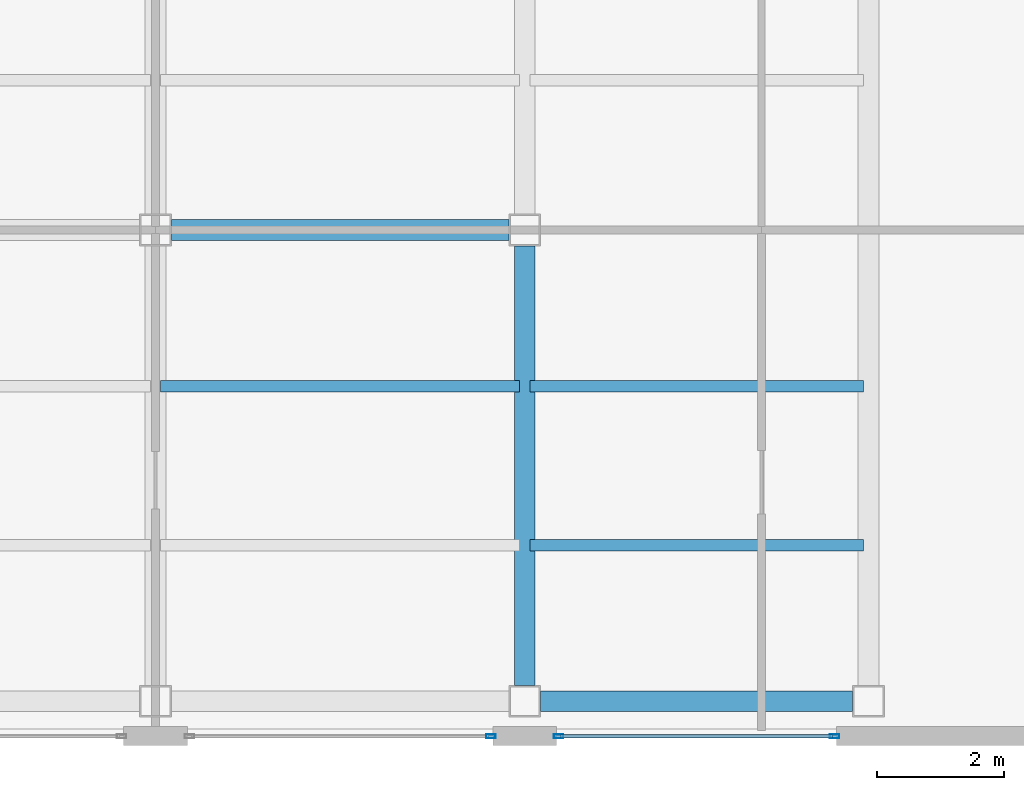
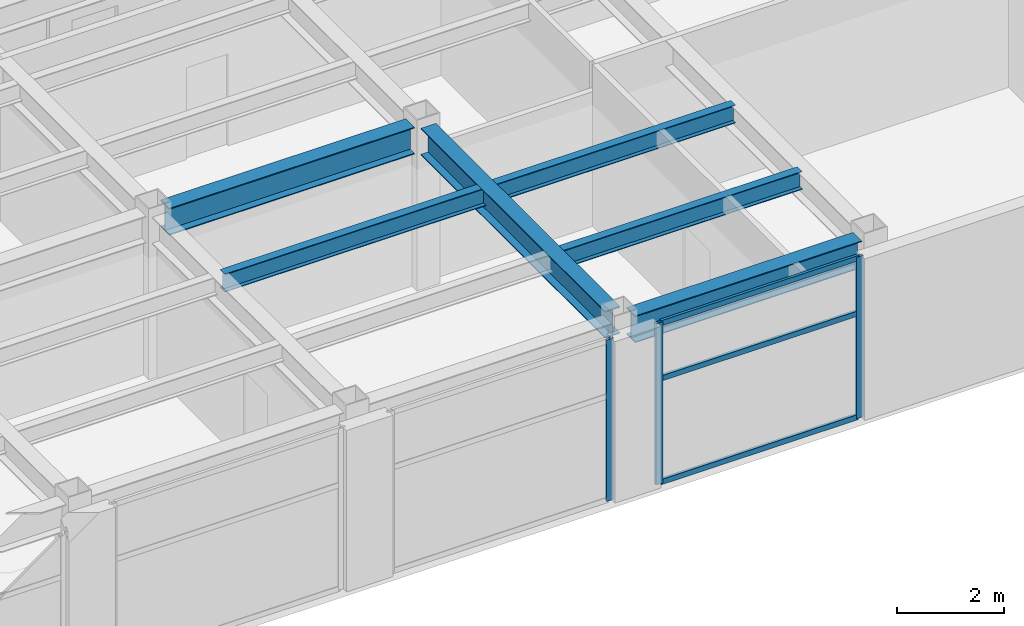
# One storey, part 7 of 15: 6 beams, 6 members, 2 elements without a shape of their own.
"""IFC4 building model written with IfcOpenShell, lengths in metres."""

import ifcopenshell
import ifcopenshell.guid

model = None  # the IFC model being written
_history = None  # IfcOwnerHistory: only IFC2X3 demands one
_inside = {}  # id of a spatial element -> (the spatial element, [elements in it])
_under = {}  # id of a project, library or spatial element -> (it, [spatial elements below it])
_declared = {}  # id of a project -> (the project, [libraries it declares])
_typed = {}  # id of a type object -> (the type object, [elements of that type])
_made_of = {}  # id of a material, layer set ... -> (it, [elements and type objects made of it])


def new_model(schema):
    """Start an empty IFC model of exactly this schema.

    Asked for "IFC4X3", IfcOpenShell would pick the latest addendum, in which some entities
    have other attributes; the version numbers below select the first issue.
    IFC2X3 requires an IfcOwnerHistory on every rooted entity: one is made here for all.
    """
    global model, _history
    if schema == "IFC4X3":
        model = ifcopenshell.file(schema_version=(4, 3, 0, 0))
    else:
        model = ifcopenshell.file(schema=schema)
    _inside.clear()
    _under.clear()
    _declared.clear()
    _typed.clear()
    _made_of.clear()
    _history = None
    if model.schema == "IFC2X3":
        org = make("IfcOrganization", Name="unknown")
        user = make(
            "IfcPersonAndOrganization",
            ThePerson=make("IfcPerson", FamilyName="unknown"),
            TheOrganization=org,
        )
        app = make(
            "IfcApplication",
            ApplicationDeveloper=org,
            Version="unknown",
            ApplicationFullName="unknown",
            ApplicationIdentifier="unknown",
        )
        _history = make(
            "IfcOwnerHistory",
            OwningUser=user,
            OwningApplication=app,
            ChangeAction="ADDED",
            CreationDate=0,
        )
    return model


def make(cls, **values):
    """One entity of the class cls with the attributes given. An attribute that is None is left unset."""
    return model.create_entity(
        cls, **{name: value for name, value in values.items() if value is not None}
    )


def rooted(cls, **values):
    """An entity with a GlobalId (a new one), such as an element, a storey or a relation."""
    return make(cls, GlobalId=ifcopenshell.guid.new(), OwnerHistory=_history, **values)


def si_unit(unit_type, name, prefix=None):
    """IfcSIUnit, for example si_unit("LENGTHUNIT", "METRE", prefix="MILLI")."""
    return make("IfcSIUnit", UnitType=unit_type, Prefix=prefix, Name=name)


def assignment(units):
    """IfcUnitAssignment: the units of a project."""
    return None if units is None else make("IfcUnitAssignment", Units=units)


def point(xyz):
    """IfcCartesianPoint."""
    return None if xyz is None else make("IfcCartesianPoint", Coordinates=xyz)


def direction(xyz):
    """IfcDirection."""
    return None if xyz is None else make("IfcDirection", DirectionRatios=xyz)


def frame(location, z_axis=None, x_axis=None):
    """IfcAxis2Placement3D, a coordinate frame: its origin and axes. An axis left out is left unset."""
    return make(
        "IfcAxis2Placement3D",
        Location=point(location),
        Axis=direction(z_axis),
        RefDirection=direction(x_axis),
    )


def frame_2d(location, x_axis=None):
    """IfcAxis2Placement2D, a coordinate frame in the plane: its origin and x axis."""
    return make(
        "IfcAxis2Placement2D", Location=point(location), RefDirection=direction(x_axis)
    )


def origin():
    """The frame at (0, 0, 0) with its axes left unset."""
    return frame((0.0, 0.0, 0.0))


def origin_2d():
    """The frame at (0, 0) in the plane with its x axis left unset."""
    return frame_2d((0.0, 0.0))


def place(relative_to, where):
    """IfcLocalPlacement: puts the frame where relative to a parent placement (None: the world)."""
    return make(
        "IfcLocalPlacement", PlacementRelTo=relative_to, RelativePlacement=where
    )


def context(
    kind, dimensions, precision=None, world=None, true_north=None, identifier=None
):
    """IfcGeometricRepresentationContext, for example the 3D "Model" context."""
    return make(
        "IfcGeometricRepresentationContext",
        ContextIdentifier=identifier,
        ContextType=kind,
        CoordinateSpaceDimension=dimensions,
        Precision=precision,
        WorldCoordinateSystem=world,
        TrueNorth=true_north,
    )


def subcontext(parent, identifier, kind, view, scale=None):
    """IfcGeometricRepresentationSubContext, for example "Body" below "Model"."""
    return make(
        "IfcGeometricRepresentationSubContext",
        ContextIdentifier=identifier,
        ContextType=kind,
        ParentContext=parent,
        TargetScale=scale,
        TargetView=view,
    )


def project(units=None, contexts=None):
    """IfcProject with its units and contexts."""
    return rooted(
        "IfcProject",
        Name="project",
        RepresentationContexts=contexts,
        UnitsInContext=assignment(units),
    )


def spatial(cls, under=None, at=None, **own):
    """A site, building, storey or space (cls), placed at a placement, below another one or the project."""
    s = rooted(cls, ObjectPlacement=at, **own)
    if under is not None:
        _under.setdefault(under.id(), (under, []))[1].append(s)
    return s


def profile(cls, at=None, kind="AREA", **sizes):
    """A parametric profile (cls). Its sizes go by their IFC names, for example OverallWidth=200.0."""
    return make(cls, ProfileType=kind, Position=at, **sizes)


def hollow_rectangle(**sizes):
    """IfcRectangleHollowProfileDef."""
    return profile("IfcRectangleHollowProfileDef", **sizes)


def i_section(**sizes):
    """IfcIShapeProfileDef."""
    return profile("IfcIShapeProfileDef", **sizes)


def extrude(swept, where, along, depth):
    """IfcExtrudedAreaSolid: the profile swept, set in the frame where, extruded along a direction by depth."""
    return make(
        "IfcExtrudedAreaSolid",
        SweptArea=swept,
        Position=where,
        ExtrudedDirection=direction(along),
        Depth=depth,
    )


def shape(context_of_items, identifier, shape_type, items):
    """IfcShapeRepresentation: the items that make up one representation, for example the "Body"."""
    return make(
        "IfcShapeRepresentation",
        ContextOfItems=context_of_items,
        RepresentationIdentifier=identifier,
        RepresentationType=shape_type,
        Items=items,
    )


def material(Name=None, Category=None):
    """IfcMaterial."""
    return make("IfcMaterial", Name=Name, Category=Category)


def layer(
    of_material, thickness, ventilated=None, Name=None, Category=None, Priority=None
):
    """IfcMaterialLayer: one layer of a wall or slab, of a material (None: an air gap)."""
    return make(
        "IfcMaterialLayer",
        Material=of_material,
        LayerThickness=thickness,
        IsVentilated=ventilated,
        Name=Name,
        Category=Category,
        Priority=Priority,
    )


def layer_set(layers, Name=None):
    """IfcMaterialLayerSet."""
    return make("IfcMaterialLayerSet", MaterialLayers=layers, LayerSetName=Name)


def material_profile(
    of_material, cross_section, Name=None, Category=None, Priority=None
):
    """IfcMaterialProfile: a cross section and its material."""
    return make(
        "IfcMaterialProfile",
        Name=Name,
        Material=of_material,
        Profile=cross_section,
        Priority=Priority,
        Category=Category,
    )


def profile_set(profiles, Name=None, composite=None):
    """IfcMaterialProfileSet."""
    return make(
        "IfcMaterialProfileSet",
        Name=Name,
        MaterialProfiles=profiles,
        CompositeProfile=composite,
    )


def made_of(thing, what):
    """Note that an element or type object is made of a material, layer set ...; save() writes the relation."""
    if what is not None:
        _made_of.setdefault(what.id(), (what, []))[1].append(thing)
    return thing


def type_object(cls, material=None, **own):
    """A type object (cls), such as IfcWallType, which elements share."""
    return made_of(rooted(cls, **own), material)


def element(
    cls,
    number,
    at=None,
    inside=None,
    cuts=None,
    type_object=None,
    material=None,
    context=None,
    identifier="Body",
    shape_type=None,
    held_by="IfcProductDefinitionShape",
    body=None,
    shapes=None,
    **own,
):
    """One element of the class cls, such as IfcWall. Its Tag is "e" and its number.

    at: its placement. inside: the storey or other place that contains it. cuts: it is an
    opening in that element (IfcRelVoidsElement). A single representation is given by context,
    identifier, shape_type and body (its items); several are given by shapes. held_by: the class
    of the entity that holds the representations. save() writes the other relations.
    """
    e = rooted(cls, Tag="e%d" % number, ObjectPlacement=at, **own)
    if body is not None:
        shapes = [shape(context, identifier, shape_type, body)]
    if shapes is not None:
        e.Representation = make(held_by, Representations=shapes)
    if inside is not None:
        _inside.setdefault(inside.id(), (inside, []))[1].append(e)
    if cuts is not None:
        rooted(
            "IfcRelVoidsElement", RelatingBuildingElement=cuts, RelatedOpeningElement=e
        )
    if type_object is not None:
        _typed.setdefault(type_object.id(), (type_object, []))[1].append(e)
    return made_of(e, material)


def aggregate(whole, parts):
    """IfcRelAggregates: a whole, such as a stair, and the parts it consists of."""
    return rooted("IfcRelAggregates", RelatingObject=whole, RelatedObjects=parts)


def save(model, path):
    """Write the relations noted so far, then the file.

    IfcRelAggregates (storeys below a building ...), IfcRelContainedInSpatialStructure (elements
    in a storey), IfcRelDefinesByType, IfcRelAssociatesMaterial and IfcRelDeclares: one each for
    every whole, place, type object, material and project.
    """
    for whole, parts in _under.values():
        aggregate(whole, parts)
    for where, things in _inside.values():
        rooted(
            "IfcRelContainedInSpatialStructure",
            RelatedElements=things,
            RelatingStructure=where,
        )
    for kind, things in _typed.values():
        rooted("IfcRelDefinesByType", RelatedObjects=things, RelatingType=kind)
    for what, things in _made_of.values():
        rooted("IfcRelAssociatesMaterial", RelatedObjects=things, RelatingMaterial=what)
    for by, libraries in _declared.values():
        rooted("IfcRelDeclares", RelatingContext=by, RelatedDefinitions=libraries)
    model.write(path)


model = new_model("IFC4")

# Units and contexts
model_context = context("Model", 3, precision=1e-05, world=origin(), true_north=direction((0.0, 1.0)))
body_context = subcontext(model_context, "Body", "Model", "MODEL_VIEW")
ifc_project = project(units=[si_unit("LENGTHUNIT", "METRE"), si_unit("AREAUNIT", "SQUARE_METRE"), si_unit("VOLUMEUNIT", "CUBIC_METRE"), si_unit("PLANEANGLEUNIT", "RADIAN"), si_unit("MASSUNIT", "GRAM", prefix="KILO")], contexts=[model_context])

# Site, building, storey
site_placement = place(None, origin())
site = spatial("IfcSite", under=ifc_project, at=site_placement, CompositionType="ELEMENT")
building_placement = place(site_placement, origin())
building = spatial("IfcBuilding", under=site, at=building_placement, Name="Mawjaban Terraces University", CompositionType="ELEMENT")
storey_placement = place(building_placement, frame((0.0, 0.0, 142.39990234375)))
storey = spatial("IfcBuildingStorey", under=building, at=storey_placement, Name="L34", CompositionType="ELEMENT", Elevation=142.39990234375)

# Beams
ifc_material_1 = material(Name="Steel ASTM A572 Grade 50", Category="steel")
ifc_material_profile_1 = material_profile(ifc_material_1, i_section(OverallWidth=0.324951171875, OverallDepth=0.615966796875, WebThickness=0.013916015625, FlangeThickness=0.021484375, at=origin_2d()), Name="W610X174")
ifc_profile_set_1 = profile_set([ifc_material_profile_1], Name="Steel ASTM A572 Grade 50")
beam_type_1 = type_object("IfcBeamType", Name="Beam_B_W610X174", PredefinedType="BEAM", material=ifc_profile_set_1)
beam_1_placement = place(storey_placement, frame((58.050048828125, 0.550048828125, 3.382080078125), z_axis=(1.0, 0.0, 0.0), x_axis=(0.0, 1.0, 0.0)))
element("IfcBeam", 1, at=beam_1_placement, inside=storey, type_object=beam_type_1, Name="L34 Beam BM-L34-EW-04", PredefinedType="BEAM", context=body_context, shape_type="SweptSolid", body=[
    extrude(i_section(OverallWidth=0.324951171875, OverallDepth=0.615966796875, WebThickness=0.013916015625, FlangeThickness=0.021484375, at=origin_2d()), origin(), (0.0, 0.0, 1.0), 4.89990234375),
])
beam_2_placement = place(storey_placement, frame((52.25, 7.949951171875, 3.382080078125), z_axis=(1.0, 0.0, 0.0), x_axis=(0.0, 1.0, 0.0)))
element("IfcBeam", 2, at=beam_2_placement, inside=storey, type_object=beam_type_1, Name="L34 Beam BM-L34-EW-07", PredefinedType="BEAM", context=body_context, shape_type="SweptSolid", body=[
    extrude(i_section(OverallWidth=0.324951171875, OverallDepth=0.615966796875, WebThickness=0.013916015625, FlangeThickness=0.021484375, at=origin_2d()), origin(), (0.0, 0.0, 1.0), 5.300048828125),
])
beam_3_placement = place(storey_placement, frame((57.800048828125, 0.800048828125, 3.382080078125), z_axis=(0.0, 1.0, 0.0), x_axis=(-1.0, 0.0, 0.0)))
element("IfcBeam", 3, at=beam_3_placement, inside=storey, type_object=beam_type_1, Name="L34 Beam BM-L34-NS-16", PredefinedType="BEAM", context=body_context, shape_type="SweptSolid", body=[
    extrude(i_section(OverallWidth=0.324951171875, OverallDepth=0.615966796875, WebThickness=0.013916015625, FlangeThickness=0.021484375, at=origin_2d()), origin(), (0.0, 0.0, 1.0), 6.89990234375),
])
ifc_material_profile_2 = material_profile(ifc_material_1, i_section(OverallWidth=0.179931640625, OverallDepth=0.4130859375, WebThickness=0.009765625, FlangeThickness=0.01611328125, at=origin_2d()), Name="W410X74")
ifc_profile_set_2 = profile_set([ifc_material_profile_2], Name="Steel ASTM A572 Grade 50")
beam_type_2 = type_object("IfcBeamType", Name="Beam_J_W410X74", PredefinedType="JOIST", material=ifc_profile_set_2)
beam_4_placement = place(storey_placement, frame((57.8798828125, 3.0, 3.483154296875), z_axis=(1.0, 0.0, 0.0), x_axis=(0.0, 1.0, 0.0)))
element("IfcBeam", 4, at=beam_4_placement, inside=storey, type_object=beam_type_2, Name="L34 Composite Joist JST-L34-04", PredefinedType="JOIST", context=body_context, shape_type="SweptSolid", body=[
    extrude(i_section(OverallWidth=0.179931640625, OverallDepth=0.4130859375, WebThickness=0.009765625, FlangeThickness=0.01611328125, at=origin_2d()), origin(), (0.0, 0.0, 1.0), 5.240234375),
])
beam_5_placement = place(storey_placement, frame((52.080078125, 5.5, 3.483154296875), z_axis=(1.0, 0.0, 0.0), x_axis=(0.0, 1.0, 0.0)))
element("IfcBeam", 5, at=beam_5_placement, inside=storey, type_object=beam_type_2, Name="L34 Composite Joist JST-L34-07", PredefinedType="JOIST", context=body_context, shape_type="SweptSolid", body=[
    extrude(i_section(OverallWidth=0.179931640625, OverallDepth=0.4130859375, WebThickness=0.009765625, FlangeThickness=0.01611328125, at=origin_2d()), origin(), (0.0, 0.0, 1.0), 5.639892578125),
])
beam_6_placement = place(storey_placement, frame((57.8798828125, 5.5, 3.483154296875), z_axis=(1.0, 0.0, 0.0), x_axis=(0.0, 1.0, 0.0)))
element("IfcBeam", 6, at=beam_6_placement, inside=storey, type_object=beam_type_2, Name="L34 Composite Joist JST-L34-08", PredefinedType="JOIST", context=body_context, shape_type="SweptSolid", body=[
    extrude(i_section(OverallWidth=0.179931640625, OverallDepth=0.4130859375, WebThickness=0.009765625, FlangeThickness=0.01611328125, at=origin_2d()), origin(), (0.0, 0.0, 1.0), 5.240234375),
])

# Curtain wall, member
ifc_material_2 = material(Name="Anodised aluminium 6063-T6 and solar-control low-E glass", Category="aluminium")
ifc_layer = layer(ifc_material_2, 0.1650390625)
ifc_layer_set = layer_set([ifc_layer], Name="Anodised aluminium 6063-T6 and solar-control low-E glass")
curtain_wall_type = type_object("IfcCurtainWallType", Name="CWSystem_04_EastWing", PredefinedType="NOTDEFINED", material=ifc_layer_set)
curtain_wall_1_placement = place(storey_placement, origin())
curtain_wall_1 = element("IfcCurtainWall", 7, at=curtain_wall_1_placement, inside=storey, type_object=curtain_wall_type, Name="L34 Curtain Wall CW-04 Run 1.4", PredefinedType="NOTDEFINED")
ifc_material_3 = material(Name="Anodised aluminium 6063-T6", Category="aluminium")
ifc_material_profile_3 = material_profile(ifc_material_3, hollow_rectangle(XDim=0.06005859375, YDim=0.14990234375, WallThickness=0.00390625, at=origin_2d()), Name="ALU150X60X4")
ifc_profile_set_3 = profile_set([ifc_material_profile_3], Name="Anodised aluminium 6063-T6")
member_type_1 = type_object("IfcMemberType", Name="Mullion_CW-04", PredefinedType="MULLION", material=ifc_profile_set_3)
member_1_placement = place(storey_placement, frame((57.267578125, 0.0, 0.0), z_axis=(0.0, 0.0, 1.0), x_axis=(0.0, 1.0, 0.0)))
member_1 = element("IfcMember", 8, at=member_1_placement, type_object=member_type_1, Name="CW-04 mullion 2", PredefinedType="MULLION", context=body_context, shape_type="SweptSolid", body=[
    extrude(hollow_rectangle(XDim=0.06005859375, YDim=0.14990234375, WallThickness=0.00390625, at=origin_2d()), origin(), (0.0, 0.0, 1.0), 3.690185546875),
])
aggregate(curtain_wall_1, [member_1])

# Curtain wall, members
curtain_wall_2_placement = place(storey_placement, origin())
curtain_wall_2 = element("IfcCurtainWall", 9, at=curtain_wall_2_placement, inside=storey, type_object=curtain_wall_type, Name="L34 Curtain Wall CW-04 Run 1.5", PredefinedType="NOTDEFINED")
member_2_placement = place(storey_placement, frame((58.33251953125, 0.0, 0.0), z_axis=(0.0, 0.0, 1.0), x_axis=(0.0, 1.0, 0.0)))
member_2 = element("IfcMember", 10, at=member_2_placement, type_object=member_type_1, Name="CW-04 mullion 1", PredefinedType="MULLION", context=body_context, shape_type="SweptSolid", body=[
    extrude(hollow_rectangle(XDim=0.06005859375, YDim=0.14990234375, WallThickness=0.00390625, at=origin_2d()), origin(), (0.0, 0.0, 1.0), 3.690185546875),
])
member_3_placement = place(storey_placement, frame((62.66748046875, 0.0, 0.0), z_axis=(0.0, 0.0, 1.0), x_axis=(0.0, 1.0, 0.0)))
member_3 = element("IfcMember", 11, at=member_3_placement, type_object=member_type_1, Name="CW-04 mullion 2", PredefinedType="MULLION", context=body_context, shape_type="SweptSolid", body=[
    extrude(hollow_rectangle(XDim=0.06005859375, YDim=0.14990234375, WallThickness=0.00390625, at=origin_2d()), origin(), (0.0, 0.0, 1.0), 3.690185546875),
])
ifc_material_profile_4 = material_profile(ifc_material_3, hollow_rectangle(XDim=0.06005859375, YDim=0.1201171875, WallThickness=0.00341796875, at=origin_2d()), Name="ALU120X60X3.5")
ifc_profile_set_4 = profile_set([ifc_material_profile_4], Name="Anodised aluminium 6063-T6")
member_type_2 = type_object("IfcMemberType", Name="Transom_CW-04", PredefinedType="NOTDEFINED", material=ifc_profile_set_4)
member_4_placement = place(storey_placement, frame((58.364990234375, 0.0, 0.030029296875), z_axis=(1.0, 0.0, 0.0), x_axis=(0.0, 1.0, 0.0)))
member_4 = element("IfcMember", 12, at=member_4_placement, type_object=member_type_2, Name="CW-04 transom 1.1", ObjectType="TRANSOM", PredefinedType="USERDEFINED", context=body_context, shape_type="SweptSolid", body=[
    extrude(hollow_rectangle(XDim=0.06005859375, YDim=0.1201171875, WallThickness=0.00341796875, at=origin_2d()), origin(), (0.0, 0.0, 1.0), 4.27001953125),
])
member_5_placement = place(storey_placement, frame((58.364990234375, 0.0, 2.398193359375), z_axis=(1.0, 0.0, 0.0), x_axis=(0.0, 1.0, 0.0)))
member_5 = element("IfcMember", 13, at=member_5_placement, type_object=member_type_2, Name="CW-04 transom 1.2", ObjectType="TRANSOM", PredefinedType="USERDEFINED", context=body_context, shape_type="SweptSolid", body=[
    extrude(hollow_rectangle(XDim=0.06005859375, YDim=0.1201171875, WallThickness=0.00341796875, at=origin_2d()), origin(), (0.0, 0.0, 1.0), 4.27001953125),
])
member_6_placement = place(storey_placement, frame((58.364990234375, 0.0, 3.66015625), z_axis=(1.0, 0.0, 0.0), x_axis=(0.0, 1.0, 0.0)))
member_6 = element("IfcMember", 14, at=member_6_placement, type_object=member_type_2, Name="CW-04 transom 1.3", ObjectType="TRANSOM", PredefinedType="USERDEFINED", context=body_context, shape_type="SweptSolid", body=[
    extrude(hollow_rectangle(XDim=0.06005859375, YDim=0.1201171875, WallThickness=0.00341796875, at=origin_2d()), origin(), (0.0, 0.0, 1.0), 4.27001953125),
])
aggregate(curtain_wall_2, [member_2, member_3, member_4, member_5, member_6])

save(model, "model.ifc")
